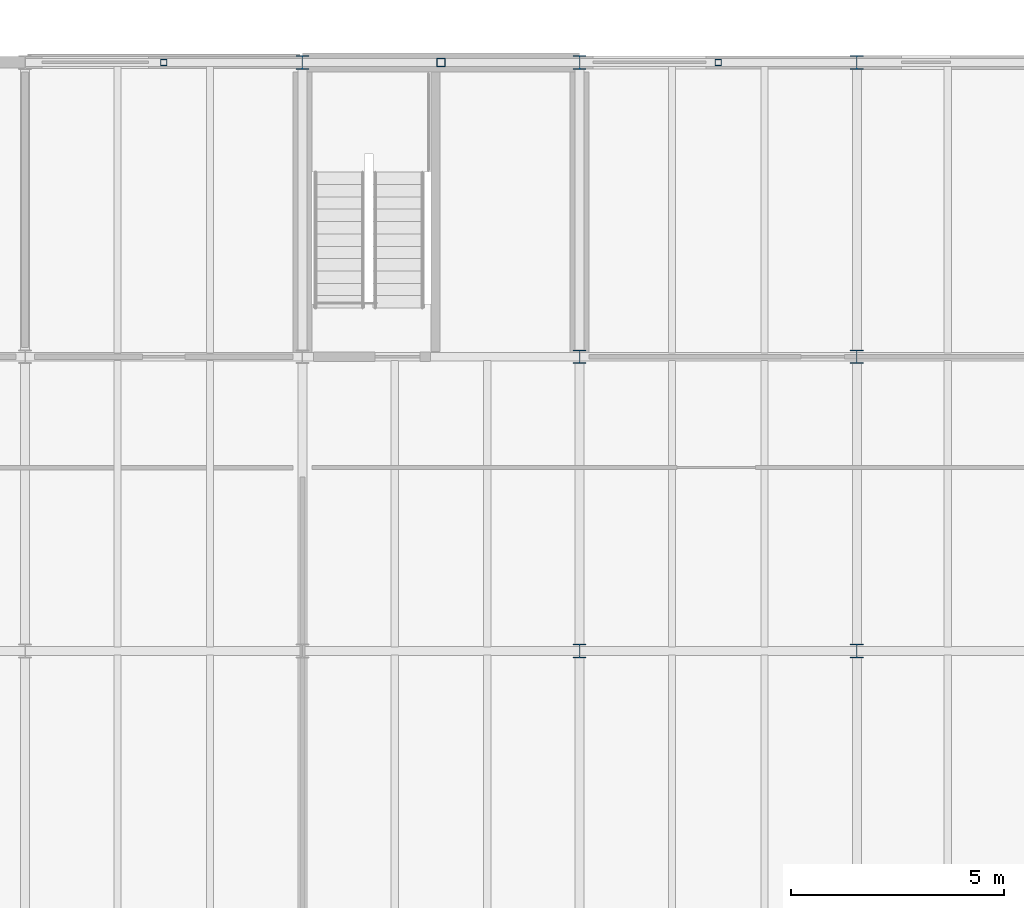
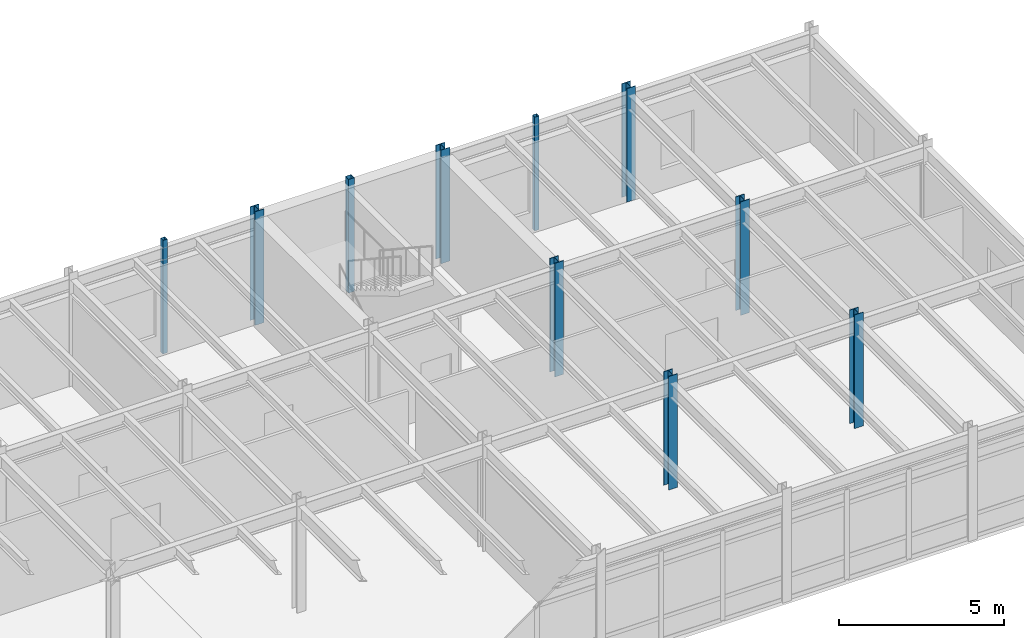
# One storey, part 20 of 144: 10 columns.
"""IFC4 building model written with IfcOpenShell, lengths in metres."""

from ifc_helpers import new_model, si_unit, direction, frame, origin, origin_2d, place, context, subcontext, project, spatial, hollow_rectangle, i_section, extrude, material, material_profile, profile_set, type_object, element, save


model = new_model("IFC4")

# Units and contexts
model_context = context("Model", 3, precision=1e-05, world=origin(), true_north=direction((0.0, 1.0)))
body_context = subcontext(model_context, "Body", "Model", "MODEL_VIEW")
ifc_project = project(units=[si_unit("LENGTHUNIT", "METRE"), si_unit("AREAUNIT", "SQUARE_METRE"), si_unit("VOLUMEUNIT", "CUBIC_METRE"), si_unit("PLANEANGLEUNIT", "RADIAN"), si_unit("MASSUNIT", "GRAM", prefix="KILO")], contexts=[model_context])

# Site, building, storey
site_placement = place(None, origin())
site = spatial("IfcSite", under=ifc_project, at=site_placement, CompositionType="ELEMENT")
building_placement = place(site_placement, origin())
building = spatial("IfcBuilding", under=site, at=building_placement, Name="Trelmorton Wharf Fire Station", CompositionType="ELEMENT")
storey_placement = place(building_placement, frame((0.0, 0.0, 5.39990234375)))
storey = spatial("IfcBuildingStorey", under=building, at=storey_placement, Name="L01", CompositionType="ELEMENT", Elevation=5.39990234375)

# Columns
ifc_material_1 = material(Name="Steel Grade 350", Category="steel")
ifc_material_profile_1 = material_profile(ifc_material_1, i_section(OverallWidth=0.30908203125, OverallDepth=0.321044921875, WebThickness=0.013916015625, FlangeThickness=0.021728515625, FilletRadius=0.0166015625, at=origin_2d()), Name="310UC137")
ifc_profile_set_1 = profile_set([ifc_material_profile_1], Name="Steel Grade 350")
column_type_1 = type_object("IfcColumnType", Name="COL_310UC137", PredefinedType="COLUMN", material=ifc_profile_set_1)
for number, where, z_axis, x_axis, name in (
    (1, (143.0, 81.0, 0.0), (0.0, 0.0, 1.0), (1.0, 0.0, 0.0), "COL-L01-0436"),
    (2, (149.5, 67.199951171875, 0.0), (0.0, 0.0, 1.0), (1.0, 0.0, 0.0), "COL-L01-0442"),
    (3, (149.5, 74.10009765625, 0.0), (0.0, 0.0, 1.0), (1.0, 0.0, 0.0), "COL-L01-0443"),
    (4, (149.5, 81.0, 0.0), (0.0, 0.0, 1.0), (1.0, 0.0, 0.0), "COL-L01-0444"),
    (5, (156.0, 67.199951171875, 0.0), (0.0, 0.0, 1.0), (1.0, 0.0, 0.0), "COL-L01-0450"),
    (6, (156.0, 74.10009765625, 0.0), (0.0, 0.0, 1.0), (1.0, 0.0, 0.0), "COL-L01-0451"),
    (7, (156.0, 81.0, 0.0), (0.0, 0.0, 1.0), (1.0, 0.0, 0.0), "COL-L01-0452"),
):
    element("IfcColumn", number, at=place(storey_placement, frame(where, z_axis=z_axis, x_axis=x_axis)), inside=storey, type_object=column_type_1, Name=name, PredefinedType="COLUMN", context=body_context, shape_type="SweptSolid", body=[
        extrude(i_section(OverallWidth=0.30908203125, OverallDepth=0.321044921875, WebThickness=0.013916015625, FlangeThickness=0.021728515625, FilletRadius=0.0166015625, at=origin_2d()), origin(), (0.0, 0.0, 1.0), 4.2001953125),
    ])
ifc_material_2 = material(Name="Steel C350L0 (350 MPa)", Category="steel")
ifc_material_profile_2 = material_profile(ifc_material_2, hollow_rectangle(XDim=0.14990234375, YDim=0.14990234375, WallThickness=0.009033203125, at=origin_2d()), Name="150x150x9.0SHS")
ifc_profile_set_2 = profile_set([ifc_material_profile_2], Name="Steel C350L0 (350 MPa)")
column_type_2 = type_object("IfcColumnType", Name="PIL_150SHS", PredefinedType="PILASTER", material=ifc_profile_set_2)
for number, where, z_axis, x_axis, name in (
    (8, (139.75, 81.0, 0.0), (0.0, 0.0, 1.0), (1.0, 0.0, 0.0), "PIL-N-L01-026"),
    (9, (152.75, 81.0, 0.0), (0.0, 0.0, 1.0), (1.0, 0.0, 0.0), "PIL-N-L01-037"),
):
    element("IfcColumn", number, at=place(storey_placement, frame(where, z_axis=z_axis, x_axis=x_axis)), inside=storey, type_object=column_type_2, Name=name, PredefinedType="PILASTER", context=body_context, shape_type="SweptSolid", body=[
        extrude(hollow_rectangle(XDim=0.14990234375, YDim=0.14990234375, WallThickness=0.009033203125, at=origin_2d()), origin(), (0.0, 0.0, 1.0), 4.2001953125),
    ])
ifc_material_profile_3 = material_profile(ifc_material_2, hollow_rectangle(XDim=0.199951171875, YDim=0.199951171875, WallThickness=0.010009765625, at=origin_2d()), Name="200x200x10.0SHS")
ifc_profile_set_3 = profile_set([ifc_material_profile_3], Name="Steel C350L0 (350 MPa)")
column_type_3 = type_object("IfcColumnType", Name="PIL_200SHS", PredefinedType="PILASTER", material=ifc_profile_set_3)
column_placement = place(storey_placement, frame((146.25, 81.0, 0.0), z_axis=(0.0, 0.0, 1.0), x_axis=(1.0, 0.0, 0.0)))
element("IfcColumn", 10, at=column_placement, inside=storey, type_object=column_type_3, Name="PIL-N-L01-034", PredefinedType="PILASTER", context=body_context, shape_type="SweptSolid", body=[
    extrude(hollow_rectangle(XDim=0.199951171875, YDim=0.199951171875, WallThickness=0.010009765625, at=origin_2d()), origin(), (0.0, 0.0, 1.0), 4.2001953125),
])

save(model, "model.ifc")
